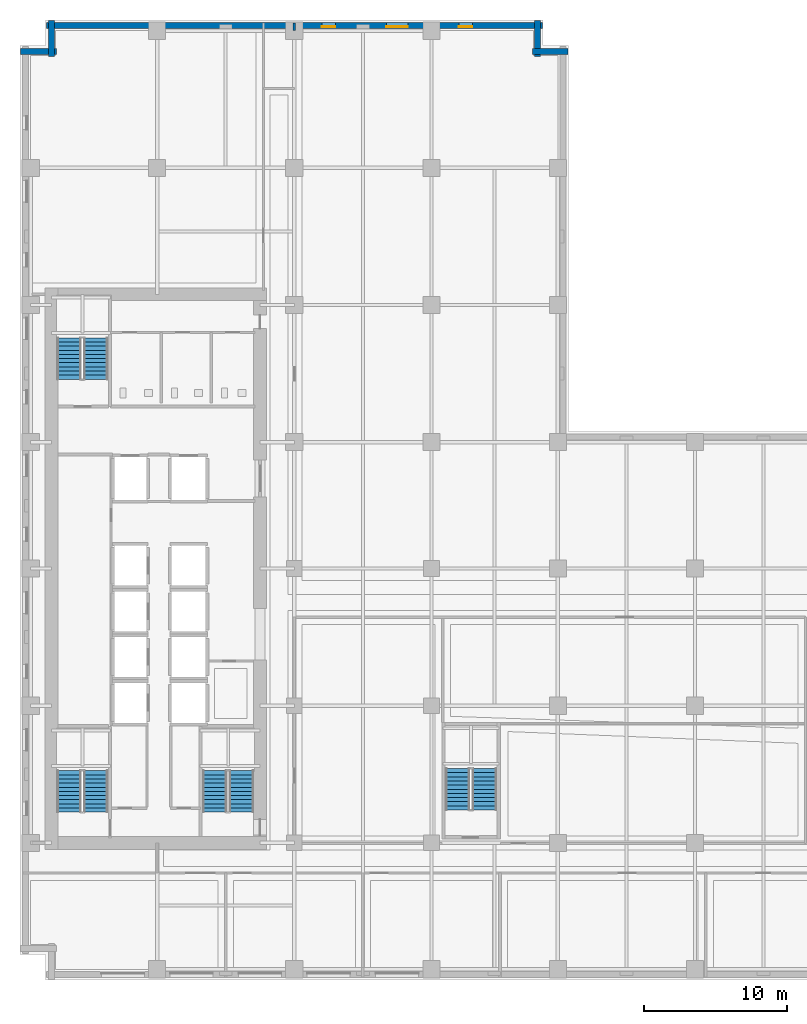
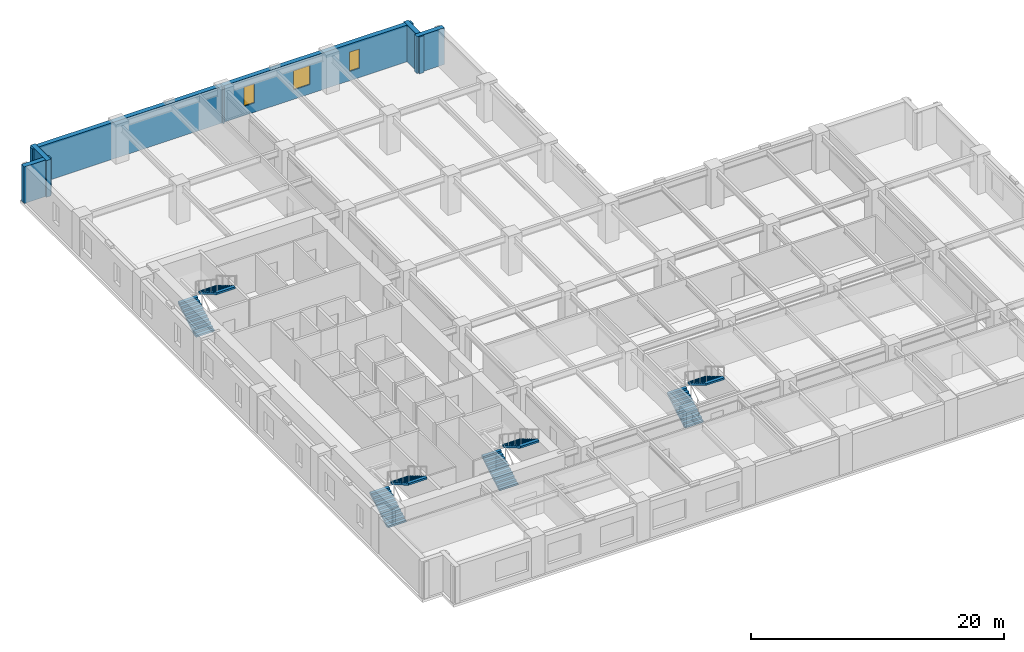
# One storey, part 8 of 13: 8 stair flights, 6 walls, 3 windows, 3 openings, 4 elements without a shape of their own.
"""IFC4 building model written with IfcOpenShell, lengths in metres."""

from ifc_helpers import new_model, si_unit, direction, frame, frame_2d, origin, place, context, subcontext, project, spatial, polyline, rectangle, outline, extrude, material, layer, layer_set, type_object, element, fill, aggregate, save


model = new_model("IFC4")

# Units and contexts
model_context = context("Model", 3, precision=1e-05, world=origin(), true_north=direction((0.0, 1.0)))
body_context = subcontext(model_context, "Body", "Model", "MODEL_VIEW")
ifc_project = project(units=[si_unit("LENGTHUNIT", "METRE"), si_unit("AREAUNIT", "SQUARE_METRE"), si_unit("VOLUMEUNIT", "CUBIC_METRE"), si_unit("PLANEANGLEUNIT", "RADIAN"), si_unit("MASSUNIT", "GRAM", prefix="KILO")], contexts=[model_context])

# Site, building, storey
site_placement = place(None, origin())
site = spatial("IfcSite", under=ifc_project, at=site_placement, CompositionType="ELEMENT")
building_placement = place(site_placement, origin())
building = spatial("IfcBuilding", under=site, at=building_placement, Name="Norrvale University Quadrangle", CompositionType="ELEMENT")
storey_placement = place(building_placement, frame((0.0, 0.0, 31.800048828125)))
storey = spatial("IfcBuildingStorey", under=building, at=storey_placement, Name="L07", CompositionType="ELEMENT", Elevation=31.800048828125)

# Walls
ifc_material_1 = material(Name="Buff Norman Clay Brick Masonry", Category="masonry")
ifc_layer_1 = layer(ifc_material_1, 0.419921875, Name="Buff Norman Clay Brick Masonry")
ifc_layer_set_1 = layer_set([ifc_layer_1], Name="Buff Norman Clay Brick Masonry")
wall_type_1 = type_object("IfcWallType", Name="Wall Buff Brick 420", PredefinedType="SOLIDWALL", material=ifc_layer_set_1)
for number, where, z_axis, x_axis, name in (
    (1, (38.360107421875, 65.010009765625, 0.0), (0.0, 0.0, 1.0), (-1.0, 0.0, 0.0), "Exterior Brick Facade Wall L07-09.1"),
    (2, (36.2099609375, 64.659912109375, 0.0), (0.0, 0.0, 1.0), (0.0, 1.0, 0.0), "Exterior Brick Facade Wall L07-10.1"),
):
    element("IfcWall", number, at=place(storey_placement, frame(where, z_axis=z_axis, x_axis=x_axis)), inside=storey, type_object=wall_type_1, Name=name, PredefinedType="SOLIDWALL", context=body_context, shape_type="SweptSolid", body=[
        extrude(rectangle(XDim=2.5, YDim=0.419921875, at=frame_2d((1.25, 0.0))), origin(), (0.0, 0.0, 1.0), 3.5400390625),
    ])

# Wall, openings, windows
wall_1_placement = place(storey_placement, frame((36.56005859375, 66.81005859375, 0.0), z_axis=(0.0, 0.0, 1.0), x_axis=(-1.0, 0.0, 0.0)))
wall_1 = element("IfcWall", 3, at=wall_1_placement, inside=storey, type_object=wall_type_1, Name="Exterior Brick Facade Wall L07-11.1", PredefinedType="SOLIDWALL", context=body_context, shape_type="SweptSolid", body=[
    extrude(rectangle(XDim=34.719970703125, YDim=0.419921875, at=frame_2d((17.35986328125, 0.0))), origin(), (0.0, 0.0, 1.0), 3.5400390625),
])
opening_1_placement = place(wall_1_placement, frame((4.885009765625, 0.0, 0.89990234375)))
opening_1 = element("IfcOpeningElement", 4, at=opening_1_placement, cuts=wall_1, Name="Opening W04", PredefinedType="OPENING", context=body_context, shape_type="SweptSolid", body=[
    extrude(rectangle(XDim=0.949951171875, YDim=1.85009765625, at=frame_2d((0.47509765625, 0.925048828125))), frame((0.0, 0.221923828125, 0.0), z_axis=(0.0, -1.0, 0.0), x_axis=(1.0, 0.0, 0.0)), (0.0, 0.0, 1.0), 0.44384765625),
])
opening_2_placement = place(wall_1_placement, frame((9.409912109375, 0.0, 0.89990234375)))
opening_2 = element("IfcOpeningElement", 5, at=opening_2_placement, cuts=wall_1, Name="Opening W03", PredefinedType="OPENING", context=body_context, shape_type="SweptSolid", body=[
    extrude(rectangle(XDim=1.5, YDim=1.85009765625, at=frame_2d((0.75, 0.925048828125))), frame((0.0, 0.221923828125, 0.0), z_axis=(0.0, -1.0, 0.0), x_axis=(1.0, 0.0, 0.0)), (0.0, 0.0, 1.0), 0.44384765625),
])
opening_3_placement = place(wall_1_placement, frame((14.485107421875, 0.0, 0.89990234375)))
opening_3 = element("IfcOpeningElement", 6, at=opening_3_placement, cuts=wall_1, Name="Opening W04", PredefinedType="OPENING", context=body_context, shape_type="SweptSolid", body=[
    extrude(rectangle(XDim=0.949951171875, YDim=1.85009765625, at=frame_2d((0.47509765625, 0.925048828125))), frame((0.0, 0.221923828125, 0.0), z_axis=(0.0, -1.0, 0.0), x_axis=(1.0, 0.0, 0.0)), (0.0, 0.0, 1.0), 0.44384765625),
])
ifc_material_2 = material(Name="Triple Low-E Argon Glazing", Category="glass")
window_type_1 = type_object("IfcWindowType", Name="Window Narrow Pier 950x2300", PartitioningType="SINGLE_PANEL", PredefinedType="WINDOW", material=ifc_material_2)
window_1_placement = place(opening_1_placement, origin())
window_1 = element("IfcWindow", 7, at=window_1_placement, inside=storey, type_object=window_type_1, Name="Window Narrow Pier 950x2300 WIN-L07-E11-1-01", OverallHeight=1.85009765625, OverallWidth=0.949951171875, PartitioningType="SINGLE_PANEL", PredefinedType="WINDOW", context=body_context, shape_type="SweptSolid", body=[
    extrude(rectangle(XDim=0.949951171875, YDim=1.85009765625, at=frame_2d((0.47509765625, 0.925048828125))), frame((0.0, 0.110107421875, 0.0), z_axis=(0.0, -1.0, 0.0), x_axis=(1.0, 0.0, 0.0)), (0.0, 0.0, 1.0), 0.06005859375),
])
fill(opening_1, window_1)
window_2_placement = place(opening_3_placement, origin())
window_2 = element("IfcWindow", 8, at=window_2_placement, inside=storey, type_object=window_type_1, Name="Window Narrow Pier 950x2300 WIN-L07-E11-1-03", OverallHeight=1.85009765625, OverallWidth=0.949951171875, PartitioningType="SINGLE_PANEL", PredefinedType="WINDOW", context=body_context, shape_type="SweptSolid", body=[
    extrude(rectangle(XDim=0.949951171875, YDim=1.85009765625, at=frame_2d((0.47509765625, 0.925048828125))), frame((0.0, 0.110107421875, 0.0), z_axis=(0.0, -1.0, 0.0), x_axis=(1.0, 0.0, 0.0)), (0.0, 0.0, 1.0), 0.06005859375),
])
fill(opening_3, window_2)
window_type_2 = type_object("IfcWindowType", Name="Window Studio 1500x2300", PartitioningType="DOUBLE_PANEL_VERTICAL", PredefinedType="WINDOW", material=ifc_material_2)
window_3_placement = place(opening_2_placement, origin())
window_3 = element("IfcWindow", 9, at=window_3_placement, inside=storey, type_object=window_type_2, Name="Window Studio 1500x2300 WIN-L07-E11-1-02", OverallHeight=1.85009765625, OverallWidth=1.5, PartitioningType="DOUBLE_PANEL_VERTICAL", PredefinedType="WINDOW", context=body_context, shape_type="SweptSolid", body=[
    extrude(rectangle(XDim=1.5, YDim=1.85009765625, at=frame_2d((0.75, 0.925048828125))), frame((0.0, 0.110107421875, 0.0), z_axis=(0.0, -1.0, 0.0), x_axis=(1.0, 0.0, 0.0)), (0.0, 0.0, 1.0), 0.06005859375),
])
fill(opening_2, window_3)

# Walls
for number, where, z_axis, x_axis, name in (
    (10, (2.18994140625, 67.159912109375, 0.0), (0.0, 0.0, 1.0), (0.0, -1.0, 0.0), "Exterior Brick Facade Wall L07-12.1"),
    (11, (2.5400390625, 65.010009765625, 0.0), (0.0, 0.0, 1.0), (-1.0, 0.0, 0.0), "Exterior Brick Facade Wall L07-13.1"),
):
    element("IfcWall", number, at=place(storey_placement, frame(where, z_axis=z_axis, x_axis=x_axis)), inside=storey, type_object=wall_type_1, Name=name, PredefinedType="SOLIDWALL", context=body_context, shape_type="SweptSolid", body=[
        extrude(rectangle(XDim=2.5, YDim=0.419921875, at=frame_2d((1.25, 0.0))), origin(), (0.0, 0.0, 1.0), 3.5400390625),
    ])
ifc_material_3 = material(Name="Fire-Rated Gypsum Stud Partition")
ifc_layer_2 = layer(ifc_material_3, 0.14990234375, Name="Fire-Rated Gypsum Stud Partition")
ifc_layer_set_2 = layer_set([ifc_layer_2], Name="Fire-Rated Gypsum Stud Partition")
wall_type_2 = type_object("IfcWallType", Name="Wall Gypsum Corridor 150", PredefinedType="PARTITIONING", material=ifc_layer_set_2)
wall_2_placement = place(storey_placement, frame((19.199951171875, 66.449951171875, 0.0), z_axis=(0.0, 0.0, 1.0), x_axis=(0.0, 1.0, 0.0)))
element("IfcWall", 12, at=wall_2_placement, inside=storey, type_object=wall_type_2, Name="Interior Partition WL-L07-NECW-B2", PredefinedType="PARTITIONING", context=body_context, shape_type="SweptSolid", body=[
    extrude(rectangle(XDim=0.530029296875, YDim=0.14990234375, at=frame_2d((0.26513671875, 0.0))), origin(), (0.0, 0.0, 1.0), 3.5400390625),
])

# Stair, stair flights
ifc_material_4 = material(Name="Concrete C40/50", Category="concrete")
stair_type = type_object("IfcStairType", Name="Stair Tower Typ 3800", PredefinedType="TWO_STRAIGHT_RUN_STAIR", material=ifc_material_4)
stair_1_placement = place(storey_placement, origin())
stair_1 = element("IfcStair", 13, at=stair_1_placement, inside=storey, type_object=stair_type, Name="Exit Stair ST-01 L07", PredefinedType="TWO_STRAIGHT_RUN_STAIR")
stair_flight_type = type_object("IfcStairFlightType", Name="Flight Typ 1500", PredefinedType="STRAIGHT", material=ifc_material_4)
stair_flight_1_placement = place(storey_placement, frame((3.429931640625, 11.75, 0.0), z_axis=(0.0, 0.0, 1.0), x_axis=(0.0, 1.0, 0.0)))
stair_flight_1 = element("IfcStairFlight", 14, at=stair_flight_1_placement, type_object=stair_flight_type, Name="Exit Stair ST-01 L07 Lower Flight", NumberOfRisers=11, NumberOfTreads=10, PredefinedType="STRAIGHT", RiserHeight=0.172727, TreadLength=0.29, context=body_context, shape_type="SweptSolid", body=[
    extrude(outline(polyline([(0.0, 0.0), (0.0, 0.172607421875), (0.2900390625, 0.172607421875), (0.2900390625, 0.345458984375), (0.580078125, 0.345458984375), (0.580078125, 0.51806640625), (0.8701171875, 0.51806640625), (0.8701171875, 0.69091796875), (1.159912109375, 0.69091796875), (1.159912109375, 0.863525390625), (1.449951171875, 0.863525390625), (1.449951171875, 1.036376953125), (1.739990234375, 1.036376953125), (1.739990234375, 1.208984375), (2.030029296875, 1.208984375), (2.030029296875, 1.3818359375), (2.320068359375, 1.3818359375), (2.320068359375, 1.554443359375), (2.610107421875, 1.554443359375), (2.610107421875, 1.727294921875), (2.89990234375, 1.727294921875), (2.89990234375, 1.89990234375), (2.89990234375, 1.552734375), (0.29296875, 0.0), (0.0, 0.0)])), frame((0.0, 0.83984375, 0.0), z_axis=(0.0, -1.0, 0.0), x_axis=(1.0, 0.0, 0.0)), (0.0, 0.0, 1.0), 1.679931640625),
])
stair_flight_2_placement = place(storey_placement, frame((5.320068359375, 14.64990234375, 1.89990234375), z_axis=(0.0, 0.0, 1.0), x_axis=(0.0, -1.0, 0.0)))
stair_flight_2 = element("IfcStairFlight", 15, at=stair_flight_2_placement, type_object=stair_flight_type, Name="Exit Stair ST-01 L07 Upper Flight", NumberOfRisers=11, NumberOfTreads=10, PredefinedType="STRAIGHT", RiserHeight=0.172727, TreadLength=0.29, context=body_context, shape_type="SweptSolid", body=[
    extrude(outline(polyline([(0.0, 0.0), (0.0, 0.172607421875), (0.2900390625, 0.172607421875), (0.2900390625, 0.345458984375), (0.580078125, 0.345458984375), (0.580078125, 0.51806640625), (0.8701171875, 0.51806640625), (0.8701171875, 0.69091796875), (1.159912109375, 0.69091796875), (1.159912109375, 0.863525390625), (1.449951171875, 0.863525390625), (1.449951171875, 1.036376953125), (1.739990234375, 1.036376953125), (1.739990234375, 1.208984375), (2.030029296875, 1.208984375), (2.030029296875, 1.3818359375), (2.320068359375, 1.3818359375), (2.320068359375, 1.554443359375), (2.610107421875, 1.554443359375), (2.610107421875, 1.727294921875), (2.89990234375, 1.727294921875), (2.89990234375, 1.89990234375), (2.89990234375, 1.552734375), (0.29296875, 0.0), (0.0, 0.0)])), frame((0.0, 0.83984375, 0.0), z_axis=(0.0, -1.0, 0.0), x_axis=(1.0, 0.0, 0.0)), (0.0, 0.0, 1.0), 1.679931640625),
])
aggregate(stair_1, [stair_flight_1, stair_flight_2])

stair_2_placement = place(storey_placement, origin())
stair_2 = element("IfcStair", 16, at=stair_2_placement, inside=storey, type_object=stair_type, Name="Exit Stair ST-02 L07", PredefinedType="TWO_STRAIGHT_RUN_STAIR")
stair_flight_3_placement = place(storey_placement, frame((3.429931640625, 42.050048828125, 0.0), z_axis=(0.0, 0.0, 1.0), x_axis=(0.0, 1.0, 0.0)))
stair_flight_3 = element("IfcStairFlight", 17, at=stair_flight_3_placement, type_object=stair_flight_type, Name="Exit Stair ST-02 L07 Lower Flight", NumberOfRisers=11, NumberOfTreads=10, PredefinedType="STRAIGHT", RiserHeight=0.172727, TreadLength=0.29, context=body_context, shape_type="SweptSolid", body=[
    extrude(outline(polyline([(0.0, 0.0), (0.0, 0.172607421875), (0.2900390625, 0.172607421875), (0.2900390625, 0.345458984375), (0.580078125, 0.345458984375), (0.580078125, 0.51806640625), (0.8701171875, 0.51806640625), (0.8701171875, 0.69091796875), (1.159912109375, 0.69091796875), (1.159912109375, 0.863525390625), (1.449951171875, 0.863525390625), (1.449951171875, 1.036376953125), (1.739990234375, 1.036376953125), (1.739990234375, 1.208984375), (2.030029296875, 1.208984375), (2.030029296875, 1.3818359375), (2.320068359375, 1.3818359375), (2.320068359375, 1.554443359375), (2.610107421875, 1.554443359375), (2.610107421875, 1.727294921875), (2.89990234375, 1.727294921875), (2.89990234375, 1.89990234375), (2.89990234375, 1.552734375), (0.29296875, 0.0), (0.0, 0.0)])), frame((0.0, 0.83984375, 0.0), z_axis=(0.0, -1.0, 0.0), x_axis=(1.0, 0.0, 0.0)), (0.0, 0.0, 1.0), 1.679931640625),
])
stair_flight_4_placement = place(storey_placement, frame((5.320068359375, 44.949951171875, 1.89990234375), z_axis=(0.0, 0.0, 1.0), x_axis=(0.0, -1.0, 0.0)))
stair_flight_4 = element("IfcStairFlight", 18, at=stair_flight_4_placement, type_object=stair_flight_type, Name="Exit Stair ST-02 L07 Upper Flight", NumberOfRisers=11, NumberOfTreads=10, PredefinedType="STRAIGHT", RiserHeight=0.172727, TreadLength=0.29, context=body_context, shape_type="SweptSolid", body=[
    extrude(outline(polyline([(0.0, 0.0), (0.0, 0.172607421875), (0.2900390625, 0.172607421875), (0.2900390625, 0.345458984375), (0.580078125, 0.345458984375), (0.580078125, 0.51806640625), (0.8701171875, 0.51806640625), (0.8701171875, 0.69091796875), (1.159912109375, 0.69091796875), (1.159912109375, 0.863525390625), (1.449951171875, 0.863525390625), (1.449951171875, 1.036376953125), (1.739990234375, 1.036376953125), (1.739990234375, 1.208984375), (2.030029296875, 1.208984375), (2.030029296875, 1.3818359375), (2.320068359375, 1.3818359375), (2.320068359375, 1.554443359375), (2.610107421875, 1.554443359375), (2.610107421875, 1.727294921875), (2.89990234375, 1.727294921875), (2.89990234375, 1.89990234375), (2.89990234375, 1.552734375), (0.29296875, 0.0), (0.0, 0.0)])), frame((0.0, 0.83984375, 0.0), z_axis=(0.0, -1.0, 0.0), x_axis=(1.0, 0.0, 0.0)), (0.0, 0.0, 1.0), 1.679931640625),
])
aggregate(stair_2, [stair_flight_3, stair_flight_4])

stair_3_placement = place(storey_placement, origin())
stair_3 = element("IfcStair", 19, at=stair_3_placement, inside=storey, type_object=stair_type, Name="Exit Stair ST-03 L07", PredefinedType="TWO_STRAIGHT_RUN_STAIR")
stair_flight_5_placement = place(storey_placement, frame((13.6298828125, 11.75, 0.0), z_axis=(0.0, 0.0, 1.0), x_axis=(0.0, 1.0, 0.0)))
stair_flight_5 = element("IfcStairFlight", 20, at=stair_flight_5_placement, type_object=stair_flight_type, Name="Exit Stair ST-03 L07 Lower Flight", NumberOfRisers=11, NumberOfTreads=10, PredefinedType="STRAIGHT", RiserHeight=0.172727, TreadLength=0.29, context=body_context, shape_type="SweptSolid", body=[
    extrude(outline(polyline([(0.0, 0.0), (0.0, 0.172607421875), (0.2900390625, 0.172607421875), (0.2900390625, 0.345458984375), (0.580078125, 0.345458984375), (0.580078125, 0.51806640625), (0.8701171875, 0.51806640625), (0.8701171875, 0.69091796875), (1.159912109375, 0.69091796875), (1.159912109375, 0.863525390625), (1.449951171875, 0.863525390625), (1.449951171875, 1.036376953125), (1.739990234375, 1.036376953125), (1.739990234375, 1.208984375), (2.030029296875, 1.208984375), (2.030029296875, 1.3818359375), (2.320068359375, 1.3818359375), (2.320068359375, 1.554443359375), (2.610107421875, 1.554443359375), (2.610107421875, 1.727294921875), (2.89990234375, 1.727294921875), (2.89990234375, 1.89990234375), (2.89990234375, 1.552734375), (0.29296875, 0.0), (0.0, 0.0)])), frame((0.0, 0.83984375, 0.0), z_axis=(0.0, -1.0, 0.0), x_axis=(1.0, 0.0, 0.0)), (0.0, 0.0, 1.0), 1.679931640625),
])
stair_flight_6_placement = place(storey_placement, frame((15.52001953125, 14.64990234375, 1.89990234375), z_axis=(0.0, 0.0, 1.0), x_axis=(0.0, -1.0, 0.0)))
stair_flight_6 = element("IfcStairFlight", 21, at=stair_flight_6_placement, type_object=stair_flight_type, Name="Exit Stair ST-03 L07 Upper Flight", NumberOfRisers=11, NumberOfTreads=10, PredefinedType="STRAIGHT", RiserHeight=0.172727, TreadLength=0.29, context=body_context, shape_type="SweptSolid", body=[
    extrude(outline(polyline([(0.0, 0.0), (0.0, 0.172607421875), (0.2900390625, 0.172607421875), (0.2900390625, 0.345458984375), (0.580078125, 0.345458984375), (0.580078125, 0.51806640625), (0.8701171875, 0.51806640625), (0.8701171875, 0.69091796875), (1.159912109375, 0.69091796875), (1.159912109375, 0.863525390625), (1.449951171875, 0.863525390625), (1.449951171875, 1.036376953125), (1.739990234375, 1.036376953125), (1.739990234375, 1.208984375), (2.030029296875, 1.208984375), (2.030029296875, 1.3818359375), (2.320068359375, 1.3818359375), (2.320068359375, 1.554443359375), (2.610107421875, 1.554443359375), (2.610107421875, 1.727294921875), (2.89990234375, 1.727294921875), (2.89990234375, 1.89990234375), (2.89990234375, 1.552734375), (0.29296875, 0.0), (0.0, 0.0)])), frame((0.0, 0.83984375, 0.0), z_axis=(0.0, -1.0, 0.0), x_axis=(1.0, 0.0, 0.0)), (0.0, 0.0, 1.0), 1.679931640625),
])
aggregate(stair_3, [stair_flight_5, stair_flight_6])

stair_4_placement = place(storey_placement, origin())
stair_4 = element("IfcStair", 22, at=stair_4_placement, inside=storey, type_object=stair_type, Name="Exit Stair ST-04 L07", PredefinedType="TWO_STRAIGHT_RUN_STAIR")
stair_flight_7_placement = place(storey_placement, frame((30.6298828125, 11.89990234375, 0.0), z_axis=(0.0, 0.0, 1.0), x_axis=(0.0, 1.0, 0.0)))
stair_flight_7 = element("IfcStairFlight", 23, at=stair_flight_7_placement, type_object=stair_flight_type, Name="Exit Stair ST-04 L07 Lower Flight", NumberOfRisers=11, NumberOfTreads=10, PredefinedType="STRAIGHT", RiserHeight=0.172727, TreadLength=0.29, context=body_context, shape_type="SweptSolid", body=[
    extrude(outline(polyline([(0.0, 0.0), (0.0, 0.172607421875), (0.2900390625, 0.172607421875), (0.2900390625, 0.345458984375), (0.580078125, 0.345458984375), (0.580078125, 0.51806640625), (0.8701171875, 0.51806640625), (0.8701171875, 0.69091796875), (1.159912109375, 0.69091796875), (1.159912109375, 0.863525390625), (1.449951171875, 0.863525390625), (1.449951171875, 1.036376953125), (1.739990234375, 1.036376953125), (1.739990234375, 1.208984375), (2.030029296875, 1.208984375), (2.030029296875, 1.3818359375), (2.320068359375, 1.3818359375), (2.320068359375, 1.554443359375), (2.610107421875, 1.554443359375), (2.610107421875, 1.727294921875), (2.89990234375, 1.727294921875), (2.89990234375, 1.89990234375), (2.89990234375, 1.552734375), (0.29296875, 0.0), (0.0, 0.0)])), frame((0.0, 0.83984375, 0.0), z_axis=(0.0, -1.0, 0.0), x_axis=(1.0, 0.0, 0.0)), (0.0, 0.0, 1.0), 1.679931640625),
])
stair_flight_8_placement = place(storey_placement, frame((32.52001953125, 14.800048828125, 1.89990234375), z_axis=(0.0, 0.0, 1.0), x_axis=(0.0, -1.0, 0.0)))
stair_flight_8 = element("IfcStairFlight", 24, at=stair_flight_8_placement, type_object=stair_flight_type, Name="Exit Stair ST-04 L07 Upper Flight", NumberOfRisers=11, NumberOfTreads=10, PredefinedType="STRAIGHT", RiserHeight=0.172727, TreadLength=0.29, context=body_context, shape_type="SweptSolid", body=[
    extrude(outline(polyline([(0.0, 0.0), (0.0, 0.172607421875), (0.2900390625, 0.172607421875), (0.2900390625, 0.345458984375), (0.580078125, 0.345458984375), (0.580078125, 0.51806640625), (0.8701171875, 0.51806640625), (0.8701171875, 0.69091796875), (1.159912109375, 0.69091796875), (1.159912109375, 0.863525390625), (1.449951171875, 0.863525390625), (1.449951171875, 1.036376953125), (1.739990234375, 1.036376953125), (1.739990234375, 1.208984375), (2.030029296875, 1.208984375), (2.030029296875, 1.3818359375), (2.320068359375, 1.3818359375), (2.320068359375, 1.554443359375), (2.610107421875, 1.554443359375), (2.610107421875, 1.727294921875), (2.89990234375, 1.727294921875), (2.89990234375, 1.89990234375), (2.89990234375, 1.552734375), (0.29296875, 0.0), (0.0, 0.0)])), frame((0.0, 0.83984375, 0.0), z_axis=(0.0, -1.0, 0.0), x_axis=(1.0, 0.0, 0.0)), (0.0, 0.0, 1.0), 1.679931640625),
])
aggregate(stair_4, [stair_flight_7, stair_flight_8])

save(model, "model.ifc")
